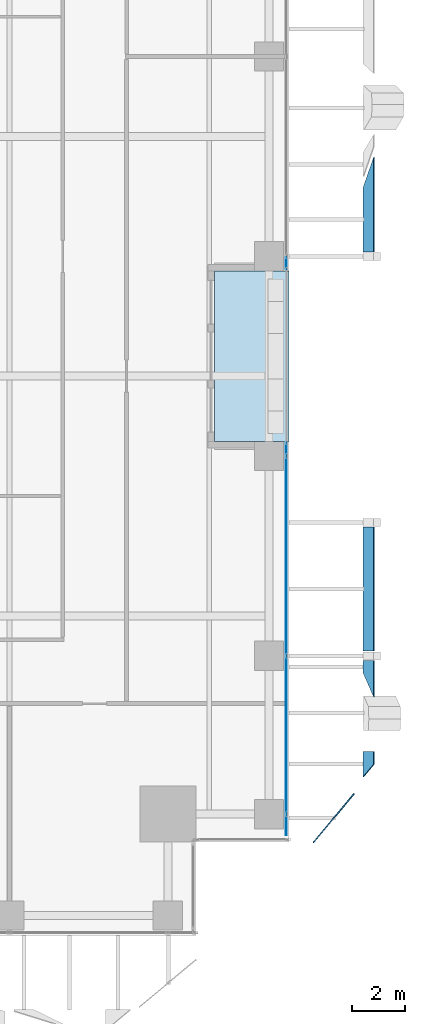
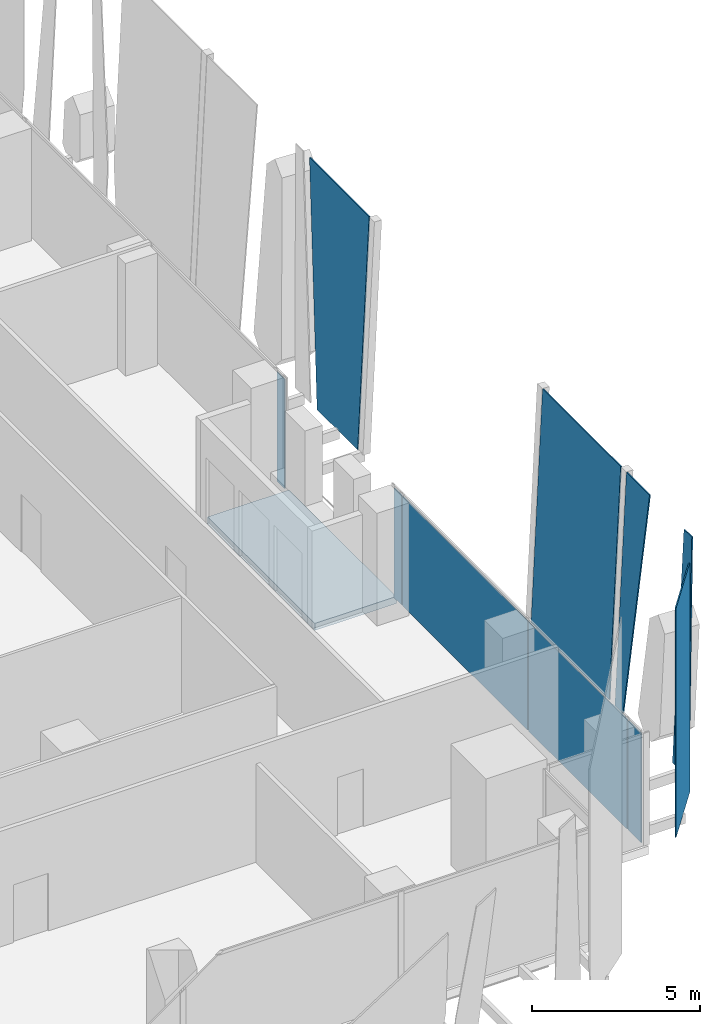
# One storey, part 25 of 36: 10 plates, 1 slab, 2 elements without a shape of their own.
"""IFC4 building model written with IfcOpenShell, lengths in metres."""

from ifc_helpers import new_model, si_unit, direction, frame, origin, origin_2d, place, context, subcontext, project, spatial, polyline, rectangle, outline, extrude, source, transform, mapped, material, layer, layer_set, type_object, element, aggregate, save


model = new_model("IFC4")

# Units and contexts
model_context = context("Model", 3, precision=1e-05, world=origin(), true_north=direction((0.0, 1.0)))
body_context = subcontext(model_context, "Body", "Model", "MODEL_VIEW")
ifc_project = project(units=[si_unit("LENGTHUNIT", "METRE"), si_unit("AREAUNIT", "SQUARE_METRE"), si_unit("VOLUMEUNIT", "CUBIC_METRE"), si_unit("PLANEANGLEUNIT", "RADIAN"), si_unit("MASSUNIT", "GRAM", prefix="KILO")], contexts=[model_context])

# Site, building, storey
site_placement = place(None, origin())
site = spatial("IfcSite", under=ifc_project, at=site_placement, CompositionType="ELEMENT")
building_placement = place(site_placement, origin())
building = spatial("IfcBuilding", under=site, at=building_placement, Name="Khomas Fold Tower", CompositionType="ELEMENT")
storey_placement = place(building_placement, frame((0.0, 0.0, 141.10009765625)))
storey = spatial("IfcBuildingStorey", under=building, at=storey_placement, Name="L30", CompositionType="ELEMENT", Elevation=141.10009765625)

# Plates
ifc_material_1 = material(Name="Clear laminated glass", Category="glass")
ifc_layer_1 = layer(ifc_material_1, 0.0400390625)
ifc_layer_set_1 = layer_set([ifc_layer_1], Name="Clear laminated glass")
plate_type_1 = type_object("IfcPlateType", Name="SK-Clear laminated glass leaf", PredefinedType="SHEET", material=ifc_layer_set_1)
plate_1_placement = place(storey_placement, frame((55.27978515625, 8.39990234375, 0.0), z_axis=(-0.998875921393, 0.0, 0.047401409913), x_axis=(0.0, -1.0, 0.0)))
element("IfcPlate", 1, at=plate_1_placement, inside=storey, type_object=plate_type_1, Name="OUTER SKIN glass L30 EG099-1", PredefinedType="SHEET", context=body_context, shape_type="SweptSolid", body=[
    extrude(outline(polyline([(0.0, 0.0), (0.94384765625, 0.0), (0.46826171875, 8.359249969688234), (0.0, 8.359249969688234), (0.0, 0.0)])), origin(), (0.0, 0.0, -1.0), 0.0400390625),
])
plate_2_placement = place(storey_placement, frame((54.925048828125, 6.830078125, 8.349853515625), z_axis=(-0.768204479018, 0.640204559822, 0.0), x_axis=(0.0, 0.0, -1.0)))
element("IfcPlate", 2, at=plate_2_placement, inside=storey, type_object=plate_type_1, Name="OUTER SKIN glass L30 EG098-2", PredefinedType="SHEET", context=body_context, shape_type="SweptSolid", body=[
    extrude(outline(polyline([(0.0, 0.0), (8.349853515625, 0.0), (8.349853515625, 2.3822799462709954), (0.0, 2.3822799462709954), (0.0, 0.0)])), origin(), (0.0, 0.0, -1.0), 0.0400390625),
])
plate_3_placement = place(storey_placement, frame((55.27978515625, 11.35205078125, 0.0), z_axis=(-0.998875921393, 0.0, 0.047401409913), x_axis=(0.047127487004, -0.107350782164, 0.993103624773)))
element("IfcPlate", 3, at=plate_3_placement, inside=storey, type_object=plate_type_1, Name="OUTER SKIN glass L30 EG099-3", PredefinedType="SHEET", context=body_context, shape_type="SweptSolid", body=[
    extrude(outline(polyline([(0.0, 0.0), (8.407837115217898, 2.220446049250313e-16), (8.259626989940397, 1.3726369455007263), (-0.051316609247276386, 0.47526492295144507), (0.0, 0.0)])), origin(), (0.0, 0.0, -1.0), 0.0400390625),
])
plate_4_placement = place(storey_placement, frame((55.27978515625, 12.169921875, 0.0), z_axis=(-0.998875921393, 0.0, 0.047401409913), x_axis=(0.047401409913, 0.0, 0.998875921393)))
element("IfcPlate", 4, at=plate_4_placement, inside=storey, type_object=plate_type_1, Name="OUTER SKIN glass L30 EG100-5", PredefinedType="SHEET", context=body_context, shape_type="SweptSolid", body=[
    extrude(outline(polyline([(0.0, 0.0), (8.359249969688234, 0.0), (8.359249969688234, 4.660156250000001), (0.0, 4.660156250000001), (0.0, 0.0)])), origin(), (0.0, 0.0, -1.0), 0.0400390625),
])
plate_5_placement = place(storey_placement, frame((55.676025390625, 30.723876953125, 8.349853515625), z_axis=(-0.998875921393, 0.0, 0.047401409913), x_axis=(-0.046968951777, -0.134771662616, -0.989762858732)))
element("IfcPlate", 5, at=plate_5_placement, inside=storey, type_object=plate_type_1, Name="OUTER SKIN glass L30 EG103-9", PredefinedType="SHEET", context=body_context, shape_type="SweptSolid", body=[
    extrude(outline(polyline([(0.0, 0.0), (8.436216253178381, 0.0), (8.761958308816501, 2.394941199199823), (0.47897243473980894, 3.5215312158335172), (0.0, 0.0)])), origin(), (0.0, 0.0, -1.0), 0.0400390625),
])

# Curtain wall, plates
ifc_material_2 = material(Name="Aluminium framed double glazing", Category="aluminium")
curtain_wall_type = type_object("IfcCurtainWallType", Name="SK-Unitised clear-glass wall, growing floors CW1", PredefinedType="NOTDEFINED", material=ifc_material_2)
curtain_wall_1_placement = place(storey_placement, origin())
curtain_wall_1 = element("IfcCurtainWall", 6, at=curtain_wall_1_placement, inside=storey, type_object=curtain_wall_type, Name="CW1 run L30 03-0", PredefinedType="NOTDEFINED")
ifc_material_3 = material(Name="Clear double glazed unit")
ifc_layer_2 = layer(ifc_material_3, 0.031982421875)
ifc_layer_set_2 = layer_set([ifc_layer_2], Name="Clear double glazed unit")
plate_type_2 = type_object("IfcPlateType", Name="SK-Unitised clear-glass wall, growing floors glass panel CW1-P", PredefinedType="CURTAIN_PANEL", material=ifc_layer_set_2)
shared_shape_1 = source(origin(), body_context, "Body", "SweptSolid", [
    extrude(rectangle(XDim=0.760009765625, YDim=0.031982421875, at=origin_2d()), origin(), (0.0, 0.0, 1.0), 3.97998046875),
])
plate_6_placement = place(storey_placement, frame((52.39990234375, 5.639892578125, 0.0), z_axis=(0.0, 0.0, 1.0), x_axis=(0.0, 1.0, 0.0)))
plate_6 = element("IfcPlate", 7, at=plate_6_placement, type_object=plate_type_2, Name="CW1 glass panel 1", PredefinedType="CURTAIN_PANEL", context=body_context, shape_type="MappedRepresentation", body=[
    mapped(shared_shape_1, transform((0.0, 0.0, 0.0))),
])
shared_shape_2 = source(origin(), body_context, "Body", "SweptSolid", [
    extrude(rectangle(XDim=5.889892578125, YDim=0.031982421875, at=origin_2d()), origin(), (0.0, 0.0, 1.0), 3.97998046875),
])
plate_7_placement = place(storey_placement, frame((52.39990234375, 9.02490234375, 0.0), z_axis=(0.0, 0.0, 1.0), x_axis=(0.0, 1.0, 0.0)))
plate_7 = element("IfcPlate", 8, at=plate_7_placement, type_object=plate_type_2, Name="CW1 glass panel 2", PredefinedType="CURTAIN_PANEL", context=body_context, shape_type="MappedRepresentation", body=[
    mapped(shared_shape_2, transform((0.0, 0.0, 0.0))),
])
shared_shape_3 = source(origin(), body_context, "Body", "SweptSolid", [
    extrude(rectangle(XDim=7.43994140625, YDim=0.031982421875, at=origin_2d()), origin(), (0.0, 0.0, 1.0), 3.97998046875),
])
plate_8_placement = place(storey_placement, frame((52.39990234375, 15.75, 0.0), z_axis=(0.0, 0.0, 1.0), x_axis=(0.0, 1.0, 0.0)))
plate_8 = element("IfcPlate", 9, at=plate_8_placement, type_object=plate_type_2, Name="CW1 glass panel 3", PredefinedType="CURTAIN_PANEL", context=body_context, shape_type="MappedRepresentation", body=[
    mapped(shared_shape_3, transform((0.0, 0.0, 0.0))),
])
shared_shape_4 = source(origin(), body_context, "Body", "SweptSolid", [
    extrude(rectangle(XDim=0.4599609375, YDim=0.031982421875, at=origin_2d()), origin(), (0.0, 0.0, 1.0), 3.97998046875),
])
plate_9_placement = place(storey_placement, frame((52.39990234375, 19.760009765625, 0.0), z_axis=(0.0, 0.0, 1.0), x_axis=(0.0, 1.0, 0.0)))
plate_9 = element("IfcPlate", 10, at=plate_9_placement, type_object=plate_type_2, Name="CW1 glass panel 4", PredefinedType="CURTAIN_PANEL", context=body_context, shape_type="MappedRepresentation", body=[
    mapped(shared_shape_4, transform((0.0, 0.0, 0.0))),
])
aggregate(curtain_wall_1, [plate_6, plate_7, plate_8, plate_9])

# Curtain wall, plate
curtain_wall_2_placement = place(storey_placement, origin())
curtain_wall_2 = element("IfcCurtainWall", 11, at=curtain_wall_2_placement, inside=storey, type_object=curtain_wall_type, Name="CW1 run L30 03-1", PredefinedType="NOTDEFINED")
plate_10_placement = place(storey_placement, frame((52.39990234375, 26.739990234375, 0.0), z_axis=(0.0, 0.0, 1.0), x_axis=(0.0, 1.0, 0.0)))
plate_10 = element("IfcPlate", 12, at=plate_10_placement, type_object=plate_type_2, Name="CW1 glass panel 1", PredefinedType="CURTAIN_PANEL", context=body_context, shape_type="MappedRepresentation", body=[
    mapped(shared_shape_4, transform((0.0, 0.0, 0.0))),
])
aggregate(curtain_wall_2, [plate_10])

# Slab
ifc_material_4 = material(Name="Concrete C40/50", Category="concrete")
ifc_layer_3 = layer(ifc_material_4, 0.2548828125)
ifc_layer_set_3 = layer_set([ifc_layer_3], Name="Concrete C40/50")
slab_type = type_object("IfcSlabType", Name="BL-Balcony deck 255", PredefinedType="FLOOR", material=ifc_layer_set_3)
shared_shape_5 = source(origin(), body_context, "Body", "SweptSolid", [
    extrude(outline(polyline([(49.699951171875, 20.050048828125), (52.5, 20.050048828125), (52.5, 26.449951171875), (49.699951171875, 26.449951171875), (49.699951171875, 20.050048828125)])), origin(), (0.0, 0.0, 1.0), 0.2548828125),
])
slab_placement = place(storey_placement, frame((0.0, 0.0, -0.300048828125)))
element("IfcSlab", 13, at=slab_placement, inside=storey, type_object=slab_type, Name="Balcony deck BAL-L30-E2", PredefinedType="FLOOR", context=body_context, shape_type="MappedRepresentation", body=[
    mapped(shared_shape_5, transform((0.0, 0.0, 0.0))),
])

save(model, "model.ifc")
